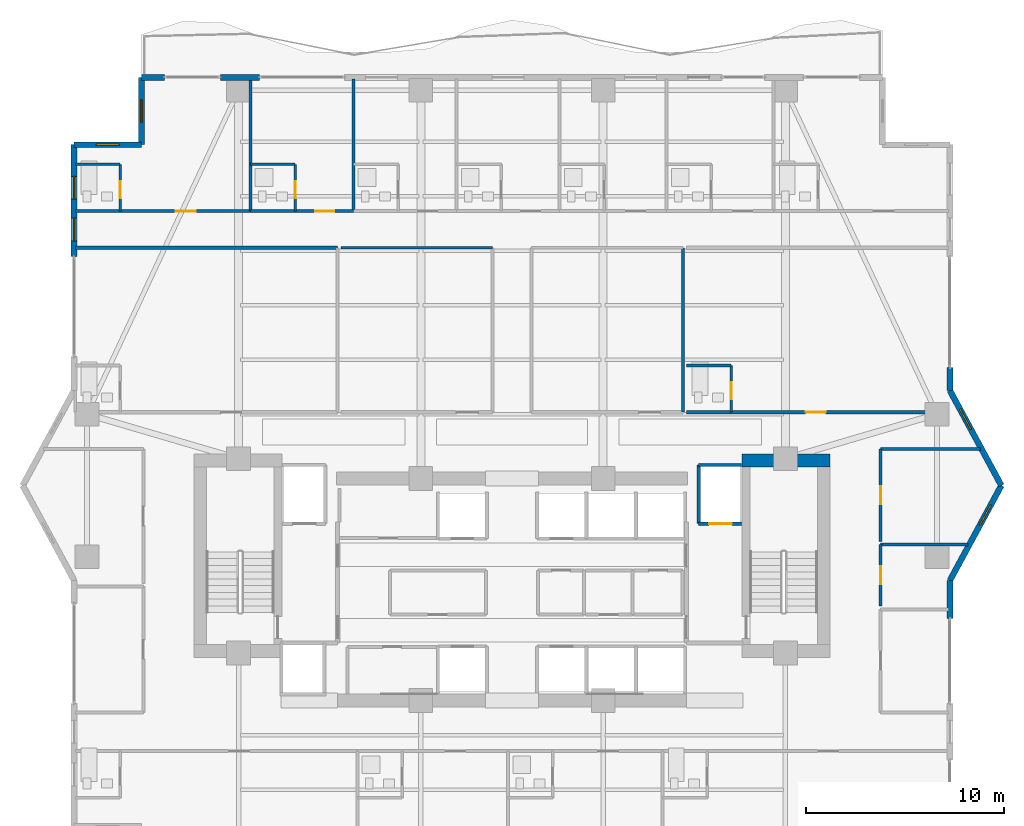
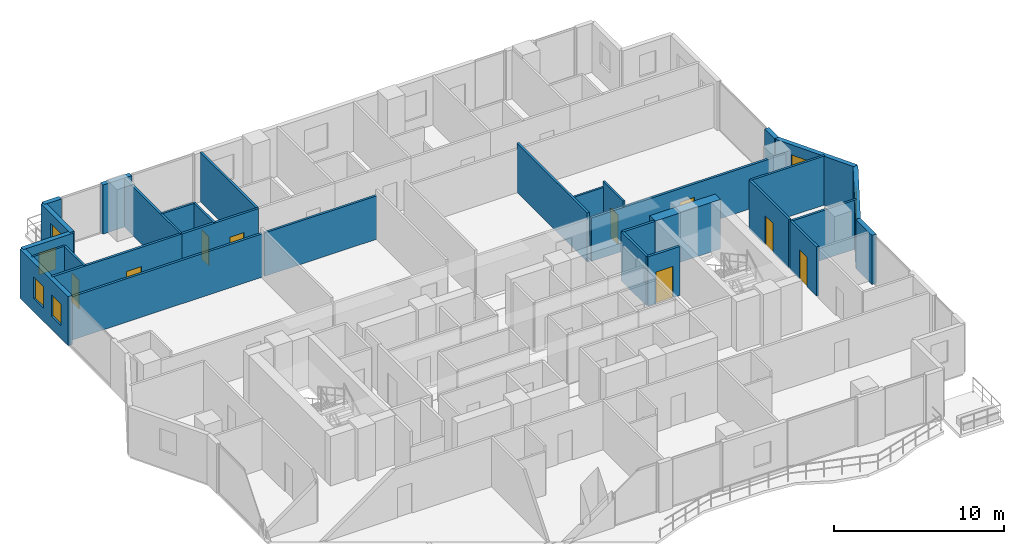
# One storey, part 27 of 33: 31 walls, 9 doors, 6 windows, 15 openings.
"""IFC4 building model written with IfcOpenShell, lengths in metres."""

from ifc_helpers import new_model, si_unit, direction, frame, frame_2d, origin, place, context, subcontext, project, spatial, rectangle, extrude, material, layer, layer_set, type_object, element, fill, save


model = new_model("IFC4")

# Units and contexts
model_context = context("Model", 3, precision=1e-05, world=origin(), true_north=direction((0.0, 1.0)))
body_context = subcontext(model_context, "Body", "Model", "MODEL_VIEW")
ifc_project = project(units=[si_unit("LENGTHUNIT", "METRE"), si_unit("AREAUNIT", "SQUARE_METRE"), si_unit("VOLUMEUNIT", "CUBIC_METRE"), si_unit("PLANEANGLEUNIT", "RADIAN"), si_unit("MASSUNIT", "GRAM", prefix="KILO")], contexts=[model_context])

# Site, building, storey
site_placement = place(None, origin())
site = spatial("IfcSite", under=ifc_project, at=site_placement, CompositionType="ELEMENT")
building_placement = place(site_placement, origin())
building = spatial("IfcBuilding", under=site, at=building_placement, Name="Zuhayl Quay Hotel", CompositionType="ELEMENT")
storey_placement = place(building_placement, frame((0.0, 0.0, 207.39990234375)))
storey = spatial("IfcBuildingStorey", under=building, at=storey_placement, Name="L52", CompositionType="ELEMENT", Elevation=207.39990234375)

# Wall
ifc_material_1 = material(Name="Concrete C50/60", Category="concrete")
ifc_layer_1 = layer(ifc_material_1, 0.64990234375, Name="Concrete C50/60", Category="concrete")
ifc_layer_set_1 = layer_set([ifc_layer_1], Name="Concrete C50/60")
wall_type_1 = type_object("IfcWallType", Name="WL_CORE_650", PredefinedType="SHEAR", material=ifc_layer_set_1)
wall_1_placement = place(storey_placement, frame((11.60009765625, 14.2548828125, 0.0), z_axis=(0.0, 0.0, 1.0), x_axis=(1.0, 0.0, 0.0)))
element("IfcWall", 1, at=wall_1_placement, inside=storey, type_object=wall_type_1, Name="L52 Core Shear Wall CW_NE", PredefinedType="SHEAR", context=body_context, shape_type="SweptSolid", body=[
    extrude(rectangle(XDim=4.4599609375, YDim=0.64990234375, at=frame_2d((2.22998046875, 0.0))), origin(), (0.0, 0.0, 1.0), 3.56005859375),
])

# Wall, openings, windows
ifc_material_2 = material(Name="Precast concrete C45/55", Category="concrete")
ifc_layer_2 = layer(ifc_material_2, 0.300048828125, Name="Precast concrete C45/55", Category="concrete")
ifc_layer_set_2 = layer_set([ifc_layer_2], Name="Precast concrete C45/55")
wall_type_2 = type_object("IfcWallType", Name="WL_EXT_300", PredefinedType="STANDARD", material=ifc_layer_set_2)
wall_2_placement = place(storey_placement, frame((-22.10009765625, 24.550048828125, 0.0), z_axis=(0.0, 0.0, 1.0), x_axis=(0.0, 1.0, 0.0)))
wall_2 = element("IfcWall", 2, at=wall_2_placement, inside=storey, type_object=wall_type_2, Name="L52 Exterior Precast Wall ENV_L52_E05_EW2", PredefinedType="STANDARD", context=body_context, shape_type="SweptSolid", body=[
    extrude(rectangle(XDim=5.64990234375, YDim=0.300048828125, at=frame_2d((2.824951171875, 0.0))), origin(), (0.0, 0.0, 1.0), 3.530029296875),
])
opening_1_placement = place(wall_2_placement, frame((0.800048828125, 0.0, 0.949951171875)))
opening_1 = element("IfcOpeningElement", 3, at=opening_1_placement, cuts=wall_2, Name="Opening W01N", PredefinedType="OPENING", context=body_context, shape_type="SweptSolid", body=[
    extrude(rectangle(XDim=1.14990234375, YDim=1.550048828125, at=frame_2d((0.574951171875, 0.77490234375))), frame((0.0, 0.159912109375, 0.0), z_axis=(0.0, -1.0, 0.0), x_axis=(1.0, 0.0, 0.0)), (0.0, 0.0, 1.0), 0.320068359375),
])
opening_2_placement = place(wall_2_placement, frame((2.905029296875, 0.0, 0.949951171875)))
opening_2 = element("IfcOpeningElement", 4, at=opening_2_placement, cuts=wall_2, Name="Opening W01N", PredefinedType="OPENING", context=body_context, shape_type="SweptSolid", body=[
    extrude(rectangle(XDim=1.14990234375, YDim=1.550048828125, at=frame_2d((0.574951171875, 0.77490234375))), frame((0.0, 0.159912109375, 0.0), z_axis=(0.0, -1.0, 0.0), x_axis=(1.0, 0.0, 0.0)), (0.0, 0.0, 1.0), 0.320068359375),
])
ifc_material_3 = material(Name="Dark Ceramic-Fritted Solar Glass", Category="glass")
window_type = type_object("IfcWindowType", Name="WN_NOTCH_1350", PartitioningType="SINGLE_PANEL", PredefinedType="WINDOW", material=ifc_material_3)
window_1_placement = place(opening_1_placement, origin())
window_1 = element("IfcWindow", 5, at=window_1_placement, inside=storey, type_object=window_type, Name="L52 Operable Facade Window 2-1", OverallHeight=1.550048828125, OverallWidth=1.14990234375, PartitioningType="SINGLE_PANEL", PredefinedType="WINDOW", context=body_context, shape_type="SweptSolid", body=[
    extrude(rectangle(XDim=1.14990234375, YDim=1.550048828125, at=frame_2d((0.574951171875, 0.77490234375))), frame((0.0, 0.030029296875, 0.0), z_axis=(0.0, -1.0, 0.0), x_axis=(1.0, 0.0, 0.0)), (0.0, 0.0, 1.0), 0.06005859375),
])
fill(opening_1, window_1)
window_2_placement = place(opening_2_placement, origin())
window_2 = element("IfcWindow", 6, at=window_2_placement, inside=storey, type_object=window_type, Name="L52 Operable Facade Window 2-2", OverallHeight=1.550048828125, OverallWidth=1.14990234375, PartitioningType="SINGLE_PANEL", PredefinedType="WINDOW", context=body_context, shape_type="SweptSolid", body=[
    extrude(rectangle(XDim=1.14990234375, YDim=1.550048828125, at=frame_2d((0.574951171875, 0.77490234375))), frame((0.0, 0.030029296875, 0.0), z_axis=(0.0, -1.0, 0.0), x_axis=(1.0, 0.0, 0.0)), (0.0, 0.0, 1.0), 0.06005859375),
])
fill(opening_2, window_2)

# Wall, opening, window
wall_3_placement = place(storey_placement, frame((-22.10009765625, 30.199951171875, 0.0), z_axis=(0.0, 0.0, 1.0), x_axis=(1.0, 0.0, 0.0)))
wall_3 = element("IfcWall", 7, at=wall_3_placement, inside=storey, type_object=wall_type_2, Name="L52 Exterior Precast Wall ENV_L52_EW06", PredefinedType="STANDARD", context=body_context, shape_type="SweptSolid", body=[
    extrude(rectangle(XDim=3.400146484375, YDim=0.300048828125, at=frame_2d((1.7001953125, 0.0))), origin(), (0.0, 0.0, 1.0), 3.530029296875),
])
opening_3_placement = place(wall_3_placement, frame((1.125, 0.0, 1.25)))
opening_3 = element("IfcOpeningElement", 8, at=opening_3_placement, cuts=wall_3, Name="Opening W01N", PredefinedType="OPENING", context=body_context, shape_type="SweptSolid", body=[
    extrude(rectangle(XDim=1.14990234375, YDim=1.550048828125, at=frame_2d((0.574951171875, 0.77490234375))), frame((0.0, 0.159912109375, 0.0), z_axis=(0.0, -1.0, 0.0), x_axis=(1.0, 0.0, 0.0)), (0.0, 0.0, 1.0), 0.320068359375),
])
window_3_placement = place(opening_3_placement, origin())
window_3 = element("IfcWindow", 9, at=window_3_placement, inside=storey, type_object=window_type, Name="L52 Corner Notch Window 6", OverallHeight=1.550048828125, OverallWidth=1.14990234375, PartitioningType="SINGLE_PANEL", PredefinedType="WINDOW", context=body_context, shape_type="SweptSolid", body=[
    extrude(rectangle(XDim=1.14990234375, YDim=1.550048828125, at=frame_2d((0.574951171875, 0.77490234375))), frame((0.0, 0.030029296875, 0.0), z_axis=(0.0, -1.0, 0.0), x_axis=(1.0, 0.0, 0.0)), (0.0, 0.0, 1.0), 0.06005859375),
])
fill(opening_3, window_3)

wall_4_placement = place(storey_placement, frame((-18.699951171875, 30.199951171875, 0.0), z_axis=(0.0, 0.0, 1.0), x_axis=(0.0, 1.0, 0.0)))
wall_4 = element("IfcWall", 10, at=wall_4_placement, inside=storey, type_object=wall_type_2, Name="L52 Exterior Precast Wall ENV_L52_EW07", PredefinedType="STANDARD", context=body_context, shape_type="SweptSolid", body=[
    extrude(rectangle(XDim=3.400146484375, YDim=0.300048828125, at=frame_2d((1.7001953125, 0.0))), origin(), (0.0, 0.0, 1.0), 3.530029296875),
])
opening_4_placement = place(wall_4_placement, frame((1.125, 0.0, 1.25)))
opening_4 = element("IfcOpeningElement", 11, at=opening_4_placement, cuts=wall_4, Name="Opening W01N", PredefinedType="OPENING", context=body_context, shape_type="SweptSolid", body=[
    extrude(rectangle(XDim=1.14990234375, YDim=1.550048828125, at=frame_2d((0.574951171875, 0.77490234375))), frame((0.0, 0.159912109375, 0.0), z_axis=(0.0, -1.0, 0.0), x_axis=(1.0, 0.0, 0.0)), (0.0, 0.0, 1.0), 0.320068359375),
])
window_4_placement = place(opening_4_placement, origin())
window_4 = element("IfcWindow", 12, at=window_4_placement, inside=storey, type_object=window_type, Name="L52 Corner Notch Window 7", OverallHeight=1.550048828125, OverallWidth=1.14990234375, PartitioningType="SINGLE_PANEL", PredefinedType="WINDOW", context=body_context, shape_type="SweptSolid", body=[
    extrude(rectangle(XDim=1.14990234375, YDim=1.550048828125, at=frame_2d((0.574951171875, 0.77490234375))), frame((0.0, 0.030029296875, 0.0), z_axis=(0.0, -1.0, 0.0), x_axis=(1.0, 0.0, 0.0)), (0.0, 0.0, 1.0), 0.06005859375),
])
fill(opening_4, window_4)

# Walls
wall_5_placement = place(storey_placement, frame((-18.699951171875, 33.60009765625, 0.0), z_axis=(0.0, 0.0, 1.0), x_axis=(1.0, 0.0, 0.0)))
element("IfcWall", 13, at=wall_5_placement, inside=storey, type_object=wall_type_2, Name="L52 Exterior Precast Wall ENV_L52_N_EW1", PredefinedType="STANDARD", context=body_context, shape_type="SweptSolid", body=[
    extrude(rectangle(XDim=1.14990234375, YDim=0.300048828125, at=frame_2d((0.574951171875, 0.0))), origin(), (0.0, 0.0, 1.0), 3.530029296875),
])
wall_6_placement = place(storey_placement, frame((-14.719970703125, 33.60009765625, 0.0), z_axis=(0.0, 0.0, 1.0), x_axis=(1.0, 0.0, 0.0)))
element("IfcWall", 14, at=wall_6_placement, inside=storey, type_object=wall_type_2, Name="L52 Exterior Precast Wall ENV_L52_N_EW2", PredefinedType="STANDARD", context=body_context, shape_type="SweptSolid", body=[
    extrude(rectangle(XDim=1.969970703125, YDim=0.300048828125, at=frame_2d((0.98486328125, 0.0))), origin(), (0.0, 0.0, 1.0), 3.530029296875),
])
wall_7_placement = place(storey_placement, frame((22.10009765625, 18.949951171875, 0.0), z_axis=(0.0, 0.0, 1.0), x_axis=(0.0, -1.0, 0.0)))
element("IfcWall", 15, at=wall_7_placement, inside=storey, type_object=wall_type_2, Name="L52 Exterior Precast Wall ENV_L52_E11_EW2", PredefinedType="STANDARD", context=body_context, shape_type="SweptSolid", body=[
    extrude(rectangle(XDim=1.14990234375, YDim=0.300048828125, at=frame_2d((0.574951171875, 0.0))), origin(), (0.0, 0.0, 1.0), 3.530029296875),
])

# Wall, opening, window
wall_8_placement = place(storey_placement, frame((22.10009765625, 17.800048828125, 0.0), z_axis=(0.0, 0.0, 1.0), x_axis=(0.476258655584, -0.879305233114, 0.0)))
wall_8 = element("IfcWall", 16, at=wall_8_placement, inside=storey, type_object=wall_type_2, Name="L52 Exterior Precast Wall ENV_L52_EW12", PredefinedType="STANDARD", context=body_context, shape_type="SweptSolid", body=[
    extrude(rectangle(XDim=5.458984375, YDim=0.300048828125, at=frame_2d((2.7294921875, 0.0))), origin(), (0.0, 0.0, 1.0), 3.530029296875),
])
opening_5_placement = place(wall_8_placement, frame((1.078125, 0.0, 1.25)))
opening_5 = element("IfcOpeningElement", 17, at=opening_5_placement, cuts=wall_8, Name="Opening W01N", PredefinedType="OPENING", context=body_context, shape_type="SweptSolid", body=[
    extrude(rectangle(XDim=1.14990234375, YDim=1.550048828125, at=frame_2d((0.574951171875, 0.77490234375))), frame((0.0, 0.159912109375, 0.0), z_axis=(0.0, -1.0, 0.0), x_axis=(1.0, 0.0, 0.0)), (0.0, 0.0, 1.0), 0.320068359375),
])
window_5_placement = place(opening_5_placement, origin())
window_5 = element("IfcWindow", 18, at=window_5_placement, inside=storey, type_object=window_type, Name="L52 Corner Notch Window 12", OverallHeight=1.550048828125, OverallWidth=1.14990234375, PartitioningType="SINGLE_PANEL", PredefinedType="WINDOW", context=body_context, shape_type="SweptSolid", body=[
    extrude(rectangle(XDim=1.14990234375, YDim=1.550048828125, at=frame_2d((0.574951171875, 0.77490234375))), frame((0.0, 0.030029296875, 0.0), z_axis=(0.0, -1.0, 0.0), x_axis=(1.0, 0.0, 0.0)), (0.0, 0.0, 1.0), 0.06005859375),
])
fill(opening_5, window_5)

wall_9_placement = place(storey_placement, frame((24.699951171875, 13.0, 0.0), z_axis=(0.0, 0.0, 1.0), x_axis=(-0.476258655584, -0.879305233114, 0.0)))
wall_9 = element("IfcWall", 19, at=wall_9_placement, inside=storey, type_object=wall_type_2, Name="L52 Exterior Precast Wall ENV_L52_EW13", PredefinedType="STANDARD", context=body_context, shape_type="SweptSolid", body=[
    extrude(rectangle(XDim=5.458984375, YDim=0.300048828125, at=frame_2d((2.7294921875, 0.0))), origin(), (0.0, 0.0, 1.0), 3.530029296875),
])
opening_6_placement = place(wall_9_placement, frame((1.123779296875, 0.0, 1.25)))
opening_6 = element("IfcOpeningElement", 20, at=opening_6_placement, cuts=wall_9, Name="Opening W01N", PredefinedType="OPENING", context=body_context, shape_type="SweptSolid", body=[
    extrude(rectangle(XDim=1.14990234375, YDim=1.550048828125, at=frame_2d((0.574951171875, 0.77490234375))), frame((0.0, 0.159912109375, 0.0), z_axis=(0.0, -1.0, 0.0), x_axis=(1.0, 0.0, 0.0)), (0.0, 0.0, 1.0), 0.320068359375),
])
window_6_placement = place(opening_6_placement, origin())
window_6 = element("IfcWindow", 21, at=window_6_placement, inside=storey, type_object=window_type, Name="L52 Corner Notch Window 13", OverallHeight=1.550048828125, OverallWidth=1.14990234375, PartitioningType="SINGLE_PANEL", PredefinedType="WINDOW", context=body_context, shape_type="SweptSolid", body=[
    extrude(rectangle(XDim=1.14990234375, YDim=1.550048828125, at=frame_2d((0.574951171875, 0.77490234375))), frame((0.0, 0.030029296875, 0.0), z_axis=(0.0, -1.0, 0.0), x_axis=(1.0, 0.0, 0.0)), (0.0, 0.0, 1.0), 0.06005859375),
])
fill(opening_6, window_6)

# Walls
wall_10_placement = place(storey_placement, frame((22.10009765625, 8.199951171875, 0.0), z_axis=(0.0, 0.0, 1.0), x_axis=(0.0, -1.0, 0.0)))
element("IfcWall", 22, at=wall_10_placement, inside=storey, type_object=wall_type_2, Name="L52 Exterior Precast Wall ENV_L52_E14_EW1", PredefinedType="STANDARD", context=body_context, shape_type="SweptSolid", body=[
    extrude(rectangle(XDim=1.89990234375, YDim=0.300048828125, at=frame_2d((0.949951171875, 0.0))), origin(), (0.0, 0.0, 1.0), 3.530029296875),
])
ifc_material_4 = material(Name="Acoustic Gypsum Partition STC-58")
ifc_layer_3 = layer(ifc_material_4, 0.14990234375, Name="Acoustic Gypsum Partition STC-58")
ifc_layer_set_3 = layer_set([ifc_layer_3], Name="Acoustic Gypsum Partition STC-58")
wall_type_3 = type_object("IfcWallType", Name="WL_PART_150", PredefinedType="PARTITIONING", material=ifc_layer_set_3)
for number, where, z_axis, x_axis, name in (
    (23, (-13.199951171875, 26.85009765625, 0.0), (0.0, 0.0, 1.0), (0.0, 1.0, 0.0), "L52 Partition IW_L52_NU01_E"),
    (24, (-8.0, 26.85009765625, 0.0), (0.0, 0.0, 1.0), (0.0, 1.0, 0.0), "L52 Partition IW_L52_NU02_E"),
):
    element("IfcWall", number, at=place(storey_placement, frame(where, z_axis=z_axis, x_axis=x_axis)), inside=storey, type_object=wall_type_3, Name=name, PredefinedType="PARTITIONING", context=body_context, shape_type="SweptSolid", body=[
        extrude(rectangle(XDim=6.669921875, YDim=0.14990234375, at=frame_2d((3.3349609375, 0.0))), origin(), (0.0, 0.0, 1.0), 3.530029296875),
    ])
wall_11_placement = place(storey_placement, frame((-8.639892578125, 25.0, 0.0), z_axis=(0.0, 0.0, 1.0), x_axis=(1.0, 0.0, 0.0)))
element("IfcWall", 25, at=wall_11_placement, inside=storey, type_object=wall_type_3, Name="L52 Partition IW_L52_Z3_MID_W_N", PredefinedType="PARTITIONING", context=body_context, shape_type="SweptSolid", body=[
    extrude(rectangle(XDim=7.659912109375, YDim=0.14990234375, at=frame_2d((3.830078125, 0.0))), origin(), (0.0, 0.0, 1.0), 3.1240234375),
])
wall_12_placement = place(storey_placement, frame((8.639892578125, 16.699951171875, 0.0), z_axis=(0.0, 0.0, 1.0), x_axis=(0.0, 1.0, 0.0)))
element("IfcWall", 26, at=wall_12_placement, inside=storey, type_object=wall_type_3, Name="L52 Partition IW_L52_Z3_MID_E_E", PredefinedType="PARTITIONING", context=body_context, shape_type="SweptSolid", body=[
    extrude(rectangle(XDim=8.300048828125, YDim=0.14990234375, at=frame_2d((4.14990234375, 0.0))), origin(), (0.0, 0.0, 1.0), 3.530029296875),
])
wall_13_placement = place(storey_placement, frame((18.60009765625, 10.02001953125, 0.0), z_axis=(0.0, 0.0, 1.0), x_axis=(1.0, 0.0, 0.0)))
element("IfcWall", 27, at=wall_13_placement, inside=storey, type_object=wall_type_3, Name="L52 Partition IW_L52_EFLK_2_N", PredefinedType="PARTITIONING", context=body_context, shape_type="SweptSolid", body=[
    extrude(rectangle(XDim=4.42578125, YDim=0.14990234375, at=frame_2d((2.212890625, 0.0))), origin(), (0.0, 0.0, 1.0), 3.530029296875),
])
wall_14_placement = place(storey_placement, frame((18.60009765625, 14.85009765625, 0.0), z_axis=(0.0, 0.0, 1.0), x_axis=(1.0, 0.0, 0.0)))
element("IfcWall", 28, at=wall_14_placement, inside=storey, type_object=wall_type_3, Name="L52 Partition IW_L52_EFLK_3_N", PredefinedType="PARTITIONING", context=body_context, shape_type="SweptSolid", body=[
    extrude(rectangle(XDim=5.037841796875, YDim=0.14990234375, at=frame_2d((2.51904296875, 0.0))), origin(), (0.0, 0.0, 1.0), 3.530029296875),
])

# Wall, opening, door
ifc_layer_4 = layer(ifc_material_4, 0.159912109375, Name="Acoustic Gypsum Partition STC-58")
ifc_layer_set_4 = layer_set([ifc_layer_4], Name="Acoustic Gypsum Partition STC-58")
wall_type_4 = type_object("IfcWallType", Name="WL_PART_CORR_160", PredefinedType="PARTITIONING", material=ifc_layer_set_4)
wall_15_placement = place(storey_placement, frame((-22.0400390625, 26.85009765625, 0.0), z_axis=(0.0, 0.0, 1.0), x_axis=(1.0, 0.0, 0.0)))
wall_15 = element("IfcWall", 29, at=wall_15_placement, inside=storey, type_object=wall_type_4, Name="L52 Partition IW_L52_NU01_COR", PredefinedType="PARTITIONING", context=body_context, shape_type="SweptSolid", body=[
    extrude(rectangle(XDim=8.840087890625, YDim=0.159912109375, at=frame_2d((4.419921875, 0.0))), origin(), (0.0, 0.0, 1.0), 3.530029296875),
])
opening_7_placement = place(wall_15_placement, frame((5.070068359375, 0.0, 0.0)))
opening_7 = element("IfcOpeningElement", 30, at=opening_7_placement, cuts=wall_15, Name="Opening D03L", PredefinedType="OPENING", context=body_context, shape_type="SweptSolid", body=[
    extrude(rectangle(XDim=1.0, YDim=2.14990234375, at=frame_2d((0.5, 1.074951171875))), frame((0.0, 0.08984375, 0.0), z_axis=(0.0, -1.0, 0.0), x_axis=(1.0, 0.0, 0.0)), (0.0, 0.0, 1.0), 0.179931640625),
])
ifc_material_5 = material(Name="Solid Walnut Acoustic Fire Door")
door_type_1 = type_object("IfcDoorType", Name="DR_SUITE_1000", OperationType="NOTDEFINED", PredefinedType="DOOR", material=ifc_material_5)
door_1_placement = place(opening_7_placement, origin())
door_1 = element("IfcDoor", 31, at=door_1_placement, inside=storey, type_object=door_type_1, Name="L52 Panoramic Gulf Guest Room L52-01 Entrance Door", OperationType="SINGLE_SWING_LEFT", OverallHeight=2.14990234375, OverallWidth=1.0, PredefinedType="DOOR", context=body_context, shape_type="SweptSolid", body=[
    extrude(rectangle(XDim=1.0, YDim=2.14990234375, at=frame_2d((0.5, 1.074951171875))), frame((0.0, 0.02490234375, 0.0), z_axis=(0.0, -1.0, 0.0), x_axis=(1.0, 0.0, 0.0)), (0.0, 0.0, 1.0), 0.050048828125),
])
fill(opening_7, door_1)

wall_16_placement = place(storey_placement, frame((-13.199951171875, 26.85009765625, 0.0), z_axis=(0.0, 0.0, 1.0), x_axis=(1.0, 0.0, 0.0)))
wall_16 = element("IfcWall", 32, at=wall_16_placement, inside=storey, type_object=wall_type_4, Name="L52 Partition IW_L52_NU02_COR", PredefinedType="PARTITIONING", context=body_context, shape_type="SweptSolid", body=[
    extrude(rectangle(XDim=5.199951171875, YDim=0.159912109375, at=frame_2d((2.60009765625, 0.0))), origin(), (0.0, 0.0, 1.0), 3.530029296875),
])
opening_8_placement = place(wall_16_placement, frame((3.27490234375, 0.0, 0.0)))
opening_8 = element("IfcOpeningElement", 33, at=opening_8_placement, cuts=wall_16, Name="Opening D03", PredefinedType="OPENING", context=body_context, shape_type="SweptSolid", body=[
    extrude(rectangle(XDim=0.949951171875, YDim=2.14990234375, at=frame_2d((0.47509765625, 1.074951171875))), frame((0.0, 0.08984375, 0.0), z_axis=(0.0, -1.0, 0.0), x_axis=(1.0, 0.0, 0.0)), (0.0, 0.0, 1.0), 0.179931640625),
])
door_type_2 = type_object("IfcDoorType", Name="DR_SUITE_950", OperationType="NOTDEFINED", PredefinedType="DOOR", material=ifc_material_5)
door_2_placement = place(opening_8_placement, origin())
door_2 = element("IfcDoor", 34, at=door_2_placement, inside=storey, type_object=door_type_2, Name="L52 Panoramic Gulf Guest Room L52-02 Entrance Door", OperationType="SINGLE_SWING_LEFT", OverallHeight=2.14990234375, OverallWidth=0.949951171875, PredefinedType="DOOR", context=body_context, shape_type="SweptSolid", body=[
    extrude(rectangle(XDim=0.949951171875, YDim=2.14990234375, at=frame_2d((0.47509765625, 1.074951171875))), frame((0.0, 0.02490234375, 0.0), z_axis=(0.0, -1.0, 0.0), x_axis=(1.0, 0.0, 0.0)), (0.0, 0.0, 1.0), 0.050048828125),
])
fill(opening_8, door_2)

wall_17_placement = place(storey_placement, frame((8.800048828125, 16.699951171875, 0.0), z_axis=(0.0, 0.0, 1.0), x_axis=(1.0, 0.0, 0.0)))
wall_17 = element("IfcWall", 35, at=wall_17_placement, inside=storey, type_object=wall_type_4, Name="L52 Partition IW_L52_MU04_COR", PredefinedType="PARTITIONING", context=body_context, shape_type="SweptSolid", body=[
    extrude(rectangle(XDim=13.239990234375, YDim=0.159912109375, at=frame_2d((6.6201171875, 0.0))), origin(), (0.0, 0.0, 1.0), 3.1240234375),
])
opening_9_placement = place(wall_17_placement, frame((6.02490234375, 0.0, 0.0)))
opening_9 = element("IfcOpeningElement", 36, at=opening_9_placement, cuts=wall_17, Name="Opening D03L", PredefinedType="OPENING", context=body_context, shape_type="SweptSolid", body=[
    extrude(rectangle(XDim=1.0, YDim=2.14990234375, at=frame_2d((0.5, 1.074951171875))), frame((0.0, 0.08984375, 0.0), z_axis=(0.0, -1.0, 0.0), x_axis=(1.0, 0.0, 0.0)), (0.0, 0.0, 1.0), 0.179931640625),
])
door_3_placement = place(opening_9_placement, origin())
door_3 = element("IfcDoor", 37, at=door_3_placement, inside=storey, type_object=door_type_1, Name="L52 Club Junior Suite L52-M4 Entrance Door", OperationType="SINGLE_SWING_LEFT", OverallHeight=2.14990234375, OverallWidth=1.0, PredefinedType="DOOR", context=body_context, shape_type="SweptSolid", body=[
    extrude(rectangle(XDim=1.0, YDim=2.14990234375, at=frame_2d((0.5, 1.074951171875))), frame((0.0, 0.02490234375, 0.0), z_axis=(0.0, -1.0, 0.0), x_axis=(1.0, 0.0, 0.0)), (0.0, 0.0, 1.0), 0.050048828125),
])
fill(opening_9, door_3)

wall_18_placement = place(storey_placement, frame((18.60009765625, 6.909912109375, 0.0), z_axis=(0.0, 0.0, 1.0), x_axis=(0.0, 1.0, 0.0)))
wall_18 = element("IfcWall", 38, at=wall_18_placement, inside=storey, type_object=wall_type_4, Name="L52 Partition IW_L52_EFLK_2_W", PredefinedType="PARTITIONING", context=body_context, shape_type="SweptSolid", body=[
    extrude(rectangle(XDim=3.110107421875, YDim=0.159912109375, at=frame_2d((1.55517578125, 0.0))), origin(), (0.0, 0.0, 1.0), 3.530029296875),
])
opening_10_placement = place(wall_18_placement, frame((1.094970703125, 0.0, 0.0)))
opening_10 = element("IfcOpeningElement", 39, at=opening_10_placement, cuts=wall_18, Name="Opening D05", PredefinedType="OPENING", context=body_context, shape_type="SweptSolid", body=[
    extrude(rectangle(XDim=0.919921875, YDim=2.1201171875, at=frame_2d((0.4599609375, 1.06005859375))), frame((0.0, 0.08984375, 0.0), z_axis=(0.0, -1.0, 0.0), x_axis=(1.0, 0.0, 0.0)), (0.0, 0.0, 1.0), 0.179931640625),
])
door_type_3 = type_object("IfcDoorType", Name="DR_INT_950", OperationType="NOTDEFINED", PredefinedType="DOOR", material=ifc_material_5)
door_4_placement = place(opening_10_placement, origin())
door_4 = element("IfcDoor", 40, at=door_4_placement, inside=storey, type_object=door_type_3, Name="L52 Floor Beverage Pantry Door", OperationType="SINGLE_SWING_LEFT", OverallHeight=2.1201171875, OverallWidth=0.919921875, PredefinedType="DOOR", context=body_context, shape_type="SweptSolid", body=[
    extrude(rectangle(XDim=0.919921875, YDim=2.1201171875, at=frame_2d((0.4599609375, 1.06005859375))), frame((0.0, 0.02490234375, 0.0), z_axis=(0.0, -1.0, 0.0), x_axis=(1.0, 0.0, 0.0)), (0.0, 0.0, 1.0), 0.050048828125),
])
fill(opening_10, door_4)

wall_19_placement = place(storey_placement, frame((18.60009765625, 10.179931640625, 0.0), z_axis=(0.0, 0.0, 1.0), x_axis=(0.0, 1.0, 0.0)))
wall_19 = element("IfcWall", 41, at=wall_19_placement, inside=storey, type_object=wall_type_4, Name="L52 Partition IW_L52_EFLK_3_W", PredefinedType="PARTITIONING", context=body_context, shape_type="SweptSolid", body=[
    extrude(rectangle(XDim=4.670166015625, YDim=0.159912109375, at=frame_2d((2.3349609375, 0.0))), origin(), (0.0, 0.0, 1.0), 3.530029296875),
])
opening_11_placement = place(wall_19_placement, frame((1.875, 0.0, 0.0)))
opening_11 = element("IfcOpeningElement", 42, at=opening_11_placement, cuts=wall_19, Name="Opening D05", PredefinedType="OPENING", context=body_context, shape_type="SweptSolid", body=[
    extrude(rectangle(XDim=0.919921875, YDim=2.1201171875, at=frame_2d((0.4599609375, 1.06005859375))), frame((0.0, 0.08984375, 0.0), z_axis=(0.0, -1.0, 0.0), x_axis=(1.0, 0.0, 0.0)), (0.0, 0.0, 1.0), 0.179931640625),
])
door_5_placement = place(opening_11_placement, origin())
door_5 = element("IfcDoor", 43, at=door_5_placement, inside=storey, type_object=door_type_3, Name="L52 East Prow Office L52 Door", OperationType="SINGLE_SWING_RIGHT", OverallHeight=2.1201171875, OverallWidth=0.919921875, PredefinedType="DOOR", context=body_context, shape_type="SweptSolid", body=[
    extrude(rectangle(XDim=0.919921875, YDim=2.1201171875, at=frame_2d((0.4599609375, 1.06005859375))), frame((0.0, 0.02490234375, 0.0), z_axis=(0.0, -1.0, 0.0), x_axis=(1.0, 0.0, 0.0)), (0.0, 0.0, 1.0), 0.050048828125),
])
fill(opening_11, door_5)

# Wall
wall_20_placement = place(storey_placement, frame((-22.0400390625, 25.0, 0.0), z_axis=(0.0, 0.0, 1.0), x_axis=(1.0, 0.0, 0.0)))
element("IfcWall", 44, at=wall_20_placement, inside=storey, type_object=wall_type_4, Name="L52 Partition IW_L52_MU01_BK", PredefinedType="PARTITIONING", context=body_context, shape_type="SweptSolid", body=[
    extrude(rectangle(XDim=13.239990234375, YDim=0.159912109375, at=frame_2d((6.6201171875, 0.0))), origin(), (0.0, 0.0, 1.0), 3.1240234375),
])

# Wall, opening, door
ifc_material_6 = material(Name="Moisture-Resistant Sanitarychase Gypsum")
ifc_layer_5 = layer(ifc_material_6, 0.135009765625, Name="Moisture-Resistant Sanitarychase Gypsum")
ifc_layer_set_5 = layer_set([ifc_layer_5], Name="Moisture-Resistant Sanitarychase Gypsum")
wall_type_5 = type_object("IfcWallType", Name="WL_PART_PLUMB_150", PredefinedType="PLUMBINGWALL", material=ifc_layer_set_5)
wall_21_placement = place(storey_placement, frame((-19.780029296875, 26.85009765625, 0.0), z_axis=(0.0, 0.0, 1.0), x_axis=(0.0, 1.0, 0.0)))
wall_21 = element("IfcWall", 45, at=wall_21_placement, inside=storey, type_object=wall_type_5, Name="L52 Partition IW_L52_NU01_BE", PredefinedType="PLUMBINGWALL", context=body_context, shape_type="SweptSolid", body=[
    extrude(rectangle(XDim=2.35986328125, YDim=0.135009765625, at=frame_2d((1.179931640625, 0.0))), origin(), (0.0, 0.0, 1.0), 3.530029296875),
])
opening_12_placement = place(wall_21_placement, frame((0.64990234375, 0.0, 0.0)))
opening_12 = element("IfcOpeningElement", 46, at=opening_12_placement, cuts=wall_21, Name="Opening D04", PredefinedType="OPENING", context=body_context, shape_type="SweptSolid", body=[
    extrude(rectangle(XDim=0.85009765625, YDim=2.10009765625, at=frame_2d((0.425048828125, 1.050048828125))), frame((0.0, 0.077392578125, 0.0), z_axis=(0.0, -1.0, 0.0), x_axis=(1.0, 0.0, 0.0)), (0.0, 0.0, 1.0), 0.155029296875),
])
ifc_material_7 = material(Name="Moisture-Resistant Walnut Veneer")
door_type_4 = type_object("IfcDoorType", Name="DR_BATH_850", OperationType="NOTDEFINED", PredefinedType="DOOR", material=ifc_material_7)
door_6_placement = place(opening_12_placement, origin())
door_6 = element("IfcDoor", 47, at=door_6_placement, inside=storey, type_object=door_type_4, Name="L52 Panoramic Gulf Guest Room L52-01 En-Suite Door", OperationType="SINGLE_SWING_RIGHT", OverallHeight=2.10009765625, OverallWidth=0.85009765625, PredefinedType="DOOR", context=body_context, shape_type="SweptSolid", body=[
    extrude(rectangle(XDim=0.85009765625, YDim=2.10009765625, at=frame_2d((0.425048828125, 1.050048828125))), frame((0.0, 0.02490234375, 0.0), z_axis=(0.0, -1.0, 0.0), x_axis=(1.0, 0.0, 0.0)), (0.0, 0.0, 1.0), 0.050048828125),
])
fill(opening_12, door_6)

wall_22_placement = place(storey_placement, frame((-10.93994140625, 26.85009765625, 0.0), z_axis=(0.0, 0.0, 1.0), x_axis=(0.0, 1.0, 0.0)))
wall_22 = element("IfcWall", 48, at=wall_22_placement, inside=storey, type_object=wall_type_5, Name="L52 Partition IW_L52_NU02_BE", PredefinedType="PLUMBINGWALL", context=body_context, shape_type="SweptSolid", body=[
    extrude(rectangle(XDim=2.35986328125, YDim=0.135009765625, at=frame_2d((1.179931640625, 0.0))), origin(), (0.0, 0.0, 1.0), 3.530029296875),
])
opening_13_placement = place(wall_22_placement, frame((0.64990234375, 0.0, 0.0)))
opening_13 = element("IfcOpeningElement", 49, at=opening_13_placement, cuts=wall_22, Name="Opening D04", PredefinedType="OPENING", context=body_context, shape_type="SweptSolid", body=[
    extrude(rectangle(XDim=0.85009765625, YDim=2.10009765625, at=frame_2d((0.425048828125, 1.050048828125))), frame((0.0, 0.077392578125, 0.0), z_axis=(0.0, -1.0, 0.0), x_axis=(1.0, 0.0, 0.0)), (0.0, 0.0, 1.0), 0.155029296875),
])
door_7_placement = place(opening_13_placement, origin())
door_7 = element("IfcDoor", 50, at=door_7_placement, inside=storey, type_object=door_type_4, Name="L52 Panoramic Gulf Guest Room L52-02 En-Suite Door", OperationType="SINGLE_SWING_RIGHT", OverallHeight=2.10009765625, OverallWidth=0.85009765625, PredefinedType="DOOR", context=body_context, shape_type="SweptSolid", body=[
    extrude(rectangle(XDim=0.85009765625, YDim=2.10009765625, at=frame_2d((0.425048828125, 1.050048828125))), frame((0.0, 0.02490234375, 0.0), z_axis=(0.0, -1.0, 0.0), x_axis=(1.0, 0.0, 0.0)), (0.0, 0.0, 1.0), 0.050048828125),
])
fill(opening_13, door_7)

wall_23_placement = place(storey_placement, frame((11.06005859375, 16.699951171875, 0.0), z_axis=(0.0, 0.0, 1.0), x_axis=(0.0, 1.0, 0.0)))
wall_23 = element("IfcWall", 51, at=wall_23_placement, inside=storey, type_object=wall_type_5, Name="L52 Partition IW_L52_MU04_BE", PredefinedType="PLUMBINGWALL", context=body_context, shape_type="SweptSolid", body=[
    extrude(rectangle(XDim=2.360107421875, YDim=0.135009765625, at=frame_2d((1.18017578125, 0.0))), origin(), (0.0, 0.0, 1.0), 3.530029296875),
])
opening_14_placement = place(wall_23_placement, frame((0.64990234375, 0.0, 0.0)))
opening_14 = element("IfcOpeningElement", 52, at=opening_14_placement, cuts=wall_23, Name="Opening D04", PredefinedType="OPENING", context=body_context, shape_type="SweptSolid", body=[
    extrude(rectangle(XDim=0.85009765625, YDim=2.10009765625, at=frame_2d((0.425048828125, 1.050048828125))), frame((0.0, 0.077392578125, 0.0), z_axis=(0.0, -1.0, 0.0), x_axis=(1.0, 0.0, 0.0)), (0.0, 0.0, 1.0), 0.155029296875),
])
door_8_placement = place(opening_14_placement, origin())
door_8 = element("IfcDoor", 53, at=door_8_placement, inside=storey, type_object=door_type_4, Name="L52 Club Junior Suite L52-M4 En-Suite Door", OperationType="SINGLE_SWING_RIGHT", OverallHeight=2.10009765625, OverallWidth=0.85009765625, PredefinedType="DOOR", context=body_context, shape_type="SweptSolid", body=[
    extrude(rectangle(XDim=0.85009765625, YDim=2.10009765625, at=frame_2d((0.425048828125, 1.050048828125))), frame((0.0, 0.02490234375, 0.0), z_axis=(0.0, -1.0, 0.0), x_axis=(1.0, 0.0, 0.0)), (0.0, 0.0, 1.0), 0.050048828125),
])
fill(opening_14, door_8)

# Walls
for number, where, z_axis, x_axis, name in (
    (54, (-22.0400390625, 29.2099609375, 0.0), (0.0, 0.0, 1.0), (1.0, 0.0, 0.0), "L52 Partition IW_L52_NU01_BN"),
    (55, (-13.199951171875, 29.2099609375, 0.0), (0.0, 0.0, 1.0), (1.0, 0.0, 0.0), "L52 Partition IW_L52_NU02_BN"),
):
    element("IfcWall", number, at=place(storey_placement, frame(where, z_axis=z_axis, x_axis=x_axis)), inside=storey, type_object=wall_type_5, Name=name, PredefinedType="PLUMBINGWALL", context=body_context, shape_type="SweptSolid", body=[
        extrude(rectangle(XDim=2.260009765625, YDim=0.135009765625, at=frame_2d((1.1298828125, 0.0))), origin(), (0.0, 0.0, 1.0), 3.530029296875),
    ])
wall_24_placement = place(storey_placement, frame((8.800048828125, 19.06005859375, 0.0), z_axis=(0.0, 0.0, 1.0), x_axis=(1.0, 0.0, 0.0)))
element("IfcWall", 56, at=wall_24_placement, inside=storey, type_object=wall_type_5, Name="L52 Partition IW_L52_MU04_BN", PredefinedType="PLUMBINGWALL", context=body_context, shape_type="SweptSolid", body=[
    extrude(rectangle(XDim=2.260009765625, YDim=0.135009765625, at=frame_2d((1.1298828125, 0.0))), origin(), (0.0, 0.0, 1.0), 3.1240234375),
])

# Wall, opening, door
ifc_material_8 = material(Name="Gypsum Fireboard Assembly EI-90")
ifc_layer_6 = layer(ifc_material_8, 0.1650390625, Name="Gypsum Fireboard Assembly EI-90")
ifc_layer_set_6 = layer_set([ifc_layer_6], Name="Gypsum Fireboard Assembly EI-90")
wall_type_6 = type_object("IfcWallType", Name="WL_PART_SHAFT_160", PredefinedType="PARTITIONING", material=ifc_layer_set_6)
wall_25_placement = place(storey_placement, frame((9.419921875, 11.070068359375, 0.0), z_axis=(0.0, 0.0, 1.0), x_axis=(1.0, 0.0, 0.0)))
wall_25 = element("IfcWall", 57, at=wall_25_placement, inside=storey, type_object=wall_type_6, Name="L52 Partition IW_L52_SH_FL2_F", PredefinedType="PARTITIONING", context=body_context, shape_type="SweptSolid", body=[
    extrude(rectangle(XDim=2.16015625, YDim=0.1650390625, at=frame_2d((1.080078125, 0.0))), origin(), (0.0, 0.0, 1.0), 3.530029296875),
])
opening_15_placement = place(wall_25_placement, frame((0.530029296875, 0.0, 0.0)))
opening_15 = element("IfcOpeningElement", 58, at=opening_15_placement, cuts=wall_25, Name="Opening LD2", PredefinedType="OPENING", context=body_context, shape_type="SweptSolid", body=[
    extrude(rectangle(XDim=1.14990234375, YDim=2.25, at=frame_2d((0.574951171875, 1.125))), frame((0.0, 0.092529296875, 0.0), z_axis=(0.0, -1.0, 0.0), x_axis=(1.0, 0.0, 0.0)), (0.0, 0.0, 1.0), 0.18505859375),
])
ifc_material_9 = material(Name="Brushed Stainless Steel", Category="steel")
door_type_5 = type_object("IfcDoorType", Name="DR_LIFT_FF_1100", OperationType="SLIDING_TO_LEFT", PredefinedType="DOOR", material=ifc_material_9)
door_9_placement = place(opening_15_placement, origin())
door_9 = element("IfcDoor", 59, at=door_9_placement, inside=storey, type_object=door_type_5, Name="L52 Lift FL2 Sliding Landing Door", OperationType="SLIDING_TO_LEFT", OverallHeight=2.25, OverallWidth=1.14990234375, PredefinedType="DOOR", context=body_context, shape_type="SweptSolid", body=[
    extrude(rectangle(XDim=1.14990234375, YDim=2.25, at=frame_2d((0.574951171875, 1.125))), frame((0.0, 0.02490234375, 0.0), z_axis=(0.0, -1.0, 0.0), x_axis=(1.0, 0.0, 0.0)), (0.0, 0.0, 1.0), 0.050048828125),
])
fill(opening_15, door_9)

# Walls
wall_26_placement = place(storey_placement, frame((9.419921875, 11.070068359375, 0.0), z_axis=(0.0, 0.0, 1.0), x_axis=(0.0, 1.0, 0.0)))
element("IfcWall", 60, at=wall_26_placement, inside=storey, type_object=wall_type_6, Name="L52 Partition IW_L52_SH_FL2_W", PredefinedType="PARTITIONING", context=body_context, shape_type="SweptSolid", body=[
    extrude(rectangle(XDim=2.9599609375, YDim=0.1650390625, at=frame_2d((1.47998046875, 0.0))), origin(), (0.0, 0.0, 1.0), 3.530029296875),
])
wall_27_placement = place(storey_placement, frame((9.419921875, 14.030029296875, 0.0), z_axis=(0.0, 0.0, 1.0), x_axis=(1.0, 0.0, 0.0)))
element("IfcWall", 61, at=wall_27_placement, inside=storey, type_object=wall_type_6, Name="L52 Partition IW_L52_SH_FL2_B", PredefinedType="PARTITIONING", context=body_context, shape_type="SweptSolid", body=[
    extrude(rectangle(XDim=2.16015625, YDim=0.1650390625, at=frame_2d((1.080078125, 0.0))), origin(), (0.0, 0.0, 1.0), 3.530029296875),
])

save(model, "model.ifc")
